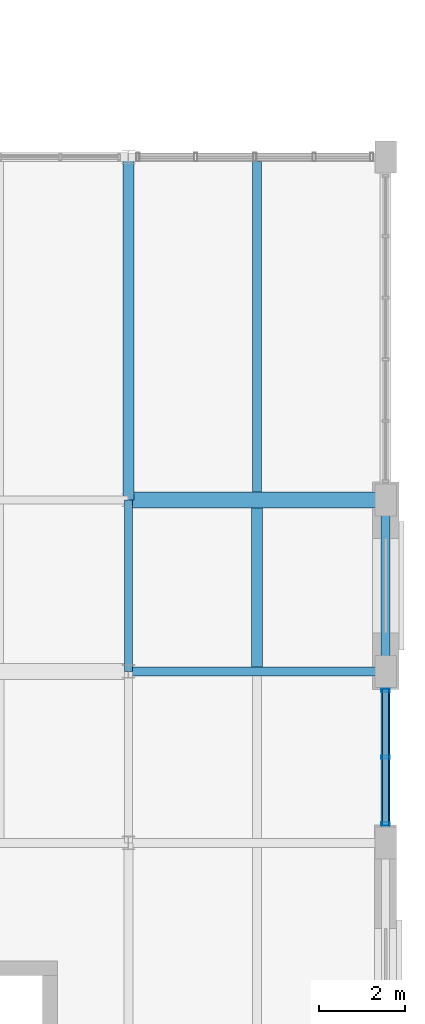
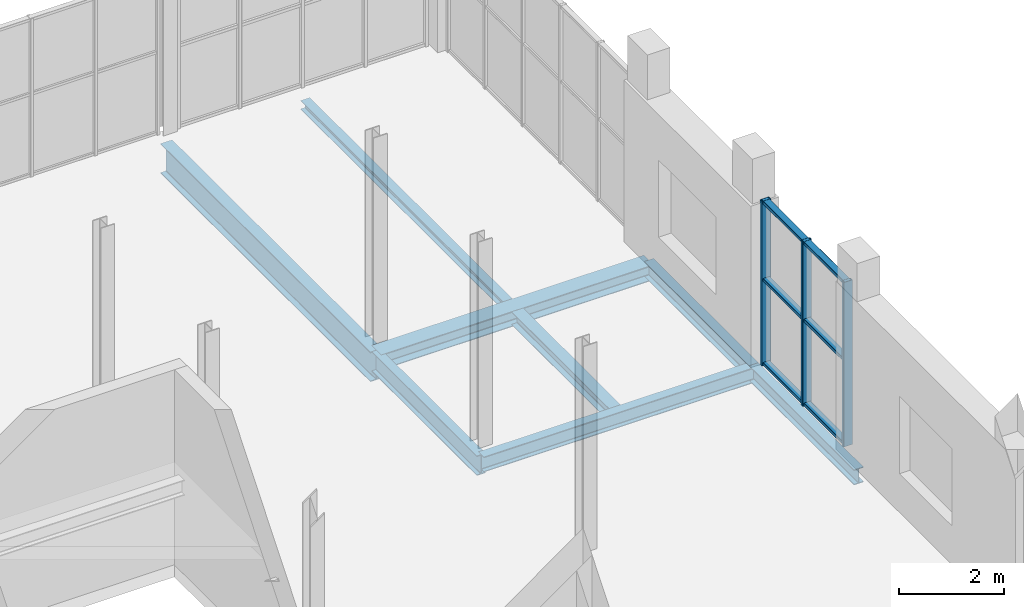
# One storey, part 79 of 114: 8 beams, 6 members, 1 element without a shape of its own.
"""IFC4 building model written with IfcOpenShell, lengths in metres."""

from ifc_helpers import new_model, si_unit, direction, frame, origin, origin_2d, place, context, subcontext, project, spatial, hollow_rectangle, i_section, extrude, material, material_profile, profile_set, type_object, element, aggregate, save


model = new_model("IFC4")

# Units and contexts
model_context = context("Model", 3, precision=1e-05, world=origin(), true_north=direction((0.0, 1.0)))
body_context = subcontext(model_context, "Body", "Model", "MODEL_VIEW")
ifc_project = project(units=[si_unit("LENGTHUNIT", "METRE"), si_unit("AREAUNIT", "SQUARE_METRE"), si_unit("VOLUMEUNIT", "CUBIC_METRE"), si_unit("PLANEANGLEUNIT", "RADIAN"), si_unit("MASSUNIT", "GRAM", prefix="KILO")], contexts=[model_context])

# Site, building, storey
site_placement = place(None, origin())
site = spatial("IfcSite", under=ifc_project, at=site_placement, CompositionType="ELEMENT")
building_placement = place(site_placement, origin())
building = spatial("IfcBuilding", under=site, at=building_placement, Name="Verrall Gate Interchange", CompositionType="ELEMENT")
storey_placement = place(building_placement, frame((0.0, 0.0, 6.60009765625)))
storey = spatial("IfcBuildingStorey", under=building, at=storey_placement, Name="L02", CompositionType="ELEMENT", Elevation=6.60009765625)

# Beams
ifc_material_1 = material(Name="Structural Steel CSA G40.21 350WT Cat 4", Category="steel")
ifc_material_profile_1 = material_profile(ifc_material_1, i_section(OverallWidth=0.256103515625, OverallDepth=0.693115234375, WebThickness=0.01318359375, FlangeThickness=0.02001953125, FilletRadius=0.01611328125, at=origin_2d()), Name="W690x170")
ifc_profile_set_1 = profile_set([ifc_material_profile_1], Name="Structural Steel CSA G40.21 350WT Cat 4")
beam_type_1 = type_object("IfcBeamType", Name="B-07 Structural Beam W690x170", PredefinedType="BEAM", material=ifc_profile_set_1)
beam_1_placement = place(storey_placement, frame((162.0, 48.0, -0.626708984375), z_axis=(0.0, 1.0, 0.0), x_axis=(-1.0, 0.0, 0.0)))
element("IfcBeam", 1, at=beam_1_placement, inside=storey, type_object=beam_type_1, Name="L02 Girder BM-L02-1830 (B-07)", PredefinedType="BEAM", context=body_context, shape_type="SweptSolid", body=[
    extrude(i_section(OverallWidth=0.256103515625, OverallDepth=0.693115234375, WebThickness=0.01318359375, FlangeThickness=0.02001953125, FilletRadius=0.01611328125, at=origin_2d()), origin(), (0.0, 0.0, 1.0), 8.0),
])
ifc_material_2 = material(Name="Structural Steel CSA G40.21 350W", Category="steel")
ifc_material_profile_2 = material_profile(ifc_material_2, i_section(OverallWidth=0.19189453125, OverallDepth=0.462890625, WebThickness=0.010498046875, FlangeThickness=0.017578125, FilletRadius=0.012939453125, at=origin_2d()), Name="W460x89")
ifc_profile_set_2 = profile_set([ifc_material_profile_2], Name="Structural Steel CSA G40.21 350W")
beam_type_2 = type_object("IfcBeamType", Name="B-11 Structural Beam W460x89", PredefinedType="BEAM", material=ifc_profile_set_2)
beam_2_placement = place(storey_placement, frame((162.0, 44.0, -0.51171875), z_axis=(0.0, 1.0, 0.0), x_axis=(-1.0, 0.0, 0.0)))
element("IfcBeam", 2, at=beam_2_placement, inside=storey, type_object=beam_type_2, Name="L02 Girder BM-L02-1829 (B-11)", PredefinedType="BEAM", context=body_context, shape_type="SweptSolid", body=[
    extrude(i_section(OverallWidth=0.19189453125, OverallDepth=0.462890625, WebThickness=0.010498046875, FlangeThickness=0.017578125, FilletRadius=0.012939453125, at=origin_2d()), origin(), (0.0, 0.0, 1.0), 4.0),
])
ifc_material_3 = material(Name="Structural Steel CSA G40.21 350W", Category="steel")
ifc_material_profile_3 = material_profile(ifc_material_3, i_section(OverallWidth=0.368896484375, OverallDepth=0.35595703125, WebThickness=0.01123046875, FlangeThickness=0.01806640625, FilletRadius=0.014892578125, at=origin_2d()), Name="W360x134")
ifc_profile_set_3 = profile_set([ifc_material_profile_3], Name="Structural Steel CSA G40.21 350W")
beam_type_3 = type_object("IfcBeamType", Name="B-13 Structural Beam W360x134", PredefinedType="BEAM", material=ifc_profile_set_3)
beam_3_placement = place(storey_placement, frame((162.0, 48.0, -0.4580078125), z_axis=(1.0, 0.0, 0.0), x_axis=(0.0, 1.0, 0.0)))
element("IfcBeam", 3, at=beam_3_placement, inside=storey, type_object=beam_type_3, Name="L02 Girder BM-L02-1587 (B-13)", PredefinedType="BEAM", context=body_context, shape_type="SweptSolid", body=[
    extrude(i_section(OverallWidth=0.368896484375, OverallDepth=0.35595703125, WebThickness=0.01123046875, FlangeThickness=0.01806640625, FilletRadius=0.014892578125, at=origin_2d()), origin(), (0.0, 0.0, 1.0), 6.0),
])
ifc_material_4 = material(Name="Structural Steel CSA G40.21 350W", Category="steel")
ifc_material_profile_4 = material_profile(ifc_material_4, i_section(OverallWidth=0.205078125, OverallDepth=0.35400390625, WebThickness=0.009521484375, FlangeThickness=0.016845703125, FilletRadius=0.012939453125, at=origin_2d()), Name="W360x79")
ifc_profile_set_4 = profile_set([ifc_material_profile_4], Name="Structural Steel CSA G40.21 350W")
beam_type_4 = type_object("IfcBeamType", Name="B-14 Structural Beam W360x79", PredefinedType="BEAM", material=ifc_profile_set_4)
beam_4_placement = place(storey_placement, frame((162.0, 44.0, -0.45703125), z_axis=(1.0, 0.0, 0.0), x_axis=(0.0, 1.0, 0.0)))
element("IfcBeam", 4, at=beam_4_placement, inside=storey, type_object=beam_type_4, Name="L02 Girder BM-L02-1562 (B-14)", PredefinedType="BEAM", context=body_context, shape_type="SweptSolid", body=[
    extrude(i_section(OverallWidth=0.205078125, OverallDepth=0.35400390625, WebThickness=0.009521484375, FlangeThickness=0.016845703125, FilletRadius=0.012939453125, at=origin_2d()), origin(), (0.0, 0.0, 1.0), 6.0),
])
for number, where, z_axis, x_axis, name in (
    (5, (168.0, 40.0, -0.45703125), (0.0, 1.0, 0.0), (-1.0, 0.0, 0.0), "L02 Girder BM-L02-1836 (B-14)"),
    (6, (168.0, 44.0, -0.45703125), (0.0, 1.0, 0.0), (-1.0, 0.0, 0.0), "L02 Girder BM-L02-1837 (B-14)"),
):
    element("IfcBeam", number, at=place(storey_placement, frame(where, z_axis=z_axis, x_axis=x_axis)), inside=storey, type_object=beam_type_4, Name=name, PredefinedType="BEAM", context=body_context, shape_type="SweptSolid", body=[
        extrude(i_section(OverallWidth=0.205078125, OverallDepth=0.35400390625, WebThickness=0.009521484375, FlangeThickness=0.016845703125, FilletRadius=0.012939453125, at=origin_2d()), origin(), (0.0, 0.0, 1.0), 4.0),
    ])

# Curtain wall, members
ifc_material_5 = material(Name="Thermally Broken Anodized Aluminium Curtain Wall Framing", Category="aluminium")
curtain_wall_type = type_object("IfcCurtainWallType", Name="CW-25 Unitized Curtain Wall 3186x3830", PredefinedType="NOTDEFINED", material=ifc_material_5)
curtain_wall_placement = place(storey_placement, origin())
curtain_wall = element("IfcCurtainWall", 7, at=curtain_wall_placement, inside=storey, type_object=curtain_wall_type, Name="L02 Unitized Curtain Wall CW-L02-093", PredefinedType="NOTDEFINED")
ifc_material_6 = material(Name="Thermally Broken Anodized Aluminium Curtain Wall Framing", Category="aluminium")
ifc_material_profile_5 = material_profile(ifc_material_6, hollow_rectangle(XDim=0.074951171875, YDim=0.199951171875, WallThickness=0.0048828125, InnerFilletRadius=0.0048828125, OuterFilletRadius=0.010009765625, at=origin_2d()), Name="CWM200x75x5")
ifc_profile_set_5 = profile_set([ifc_material_profile_5], Name="Thermally Broken Anodized Aluminium Curtain Wall Framing")
member_type_1 = type_object("IfcMemberType", Name="CM-02 Curtain Mullion CWM200x75x5", PredefinedType="MULLION", material=ifc_profile_set_5)
member_1_placement = place(storey_placement, frame((168.0, 40.444580078125, 0.0), z_axis=(0.0, 0.0, 1.0), x_axis=(0.0, 1.0, 0.0)))
member_1 = element("IfcMember", 8, at=member_1_placement, type_object=member_type_1, Name="CW-L02-093 Mullion 1", PredefinedType="MULLION", context=body_context, shape_type="SweptSolid", body=[
    extrude(hollow_rectangle(XDim=0.074951171875, YDim=0.199951171875, WallThickness=0.0048828125, InnerFilletRadius=0.0048828125, OuterFilletRadius=0.010009765625, at=origin_2d()), origin(), (0.0, 0.0, 1.0), 3.829833984375),
])
member_2_placement = place(storey_placement, frame((168.0, 42.0, 0.0), z_axis=(0.0, 0.0, 1.0), x_axis=(0.0, 1.0, 0.0)))
member_2 = element("IfcMember", 9, at=member_2_placement, type_object=member_type_1, Name="CW-L02-093 Mullion 2", PredefinedType="MULLION", context=body_context, shape_type="SweptSolid", body=[
    extrude(hollow_rectangle(XDim=0.074951171875, YDim=0.199951171875, WallThickness=0.0048828125, InnerFilletRadius=0.0048828125, OuterFilletRadius=0.010009765625, at=origin_2d()), origin(), (0.0, 0.0, 1.0), 3.829833984375),
])
member_3_placement = place(storey_placement, frame((168.0, 43.555419921875, 0.0), z_axis=(0.0, 0.0, 1.0), x_axis=(0.0, 1.0, 0.0)))
member_3 = element("IfcMember", 10, at=member_3_placement, type_object=member_type_1, Name="CW-L02-093 Mullion 3", PredefinedType="MULLION", context=body_context, shape_type="SweptSolid", body=[
    extrude(hollow_rectangle(XDim=0.074951171875, YDim=0.199951171875, WallThickness=0.0048828125, InnerFilletRadius=0.0048828125, OuterFilletRadius=0.010009765625, at=origin_2d()), origin(), (0.0, 0.0, 1.0), 3.829833984375),
])
ifc_material_7 = material(Name="Thermally Broken Anodized Aluminium Curtain Wall Framing", Category="aluminium")
ifc_material_profile_6 = material_profile(ifc_material_7, hollow_rectangle(XDim=0.14990234375, YDim=0.074951171875, WallThickness=0.00439453125, InnerFilletRadius=0.00439453125, OuterFilletRadius=0.009033203125, at=origin_2d()), Name="CWT150x75x4.5")
ifc_profile_set_6 = profile_set([ifc_material_profile_6], Name="Thermally Broken Anodized Aluminium Curtain Wall Framing")
member_type_2 = type_object("IfcMemberType", Name="CT-02 Curtain Transom CWT150x75x4.5", PredefinedType="USERDEFINED", material=ifc_profile_set_6)
member_4_placement = place(storey_placement, frame((168.0, 40.406982421875, 0.037353515625), z_axis=(0.0, 1.0, 0.0), x_axis=(-1.0, 0.0, 0.0)))
member_4 = element("IfcMember", 11, at=member_4_placement, type_object=member_type_2, Name="CW-L02-093 Transom 1", ObjectType="TRANSOM", PredefinedType="USERDEFINED", context=body_context, shape_type="SweptSolid", body=[
    extrude(hollow_rectangle(XDim=0.14990234375, YDim=0.074951171875, WallThickness=0.00439453125, InnerFilletRadius=0.00439453125, OuterFilletRadius=0.009033203125, at=origin_2d()), origin(), (0.0, 0.0, 1.0), 3.18603515625),
])
member_5_placement = place(storey_placement, frame((168.0, 40.406982421875, 1.991455078125), z_axis=(0.0, 1.0, 0.0), x_axis=(-1.0, 0.0, 0.0)))
member_5 = element("IfcMember", 12, at=member_5_placement, type_object=member_type_2, Name="CW-L02-093 Transom 2", ObjectType="TRANSOM", PredefinedType="USERDEFINED", context=body_context, shape_type="SweptSolid", body=[
    extrude(hollow_rectangle(XDim=0.14990234375, YDim=0.074951171875, WallThickness=0.00439453125, InnerFilletRadius=0.00439453125, OuterFilletRadius=0.009033203125, at=origin_2d()), origin(), (0.0, 0.0, 1.0), 3.18603515625),
])
member_6_placement = place(storey_placement, frame((168.0, 40.406982421875, 3.79248046875), z_axis=(0.0, 1.0, 0.0), x_axis=(-1.0, 0.0, 0.0)))
member_6 = element("IfcMember", 13, at=member_6_placement, type_object=member_type_2, Name="CW-L02-093 Transom 3", ObjectType="TRANSOM", PredefinedType="USERDEFINED", context=body_context, shape_type="SweptSolid", body=[
    extrude(hollow_rectangle(XDim=0.14990234375, YDim=0.074951171875, WallThickness=0.00439453125, InnerFilletRadius=0.00439453125, OuterFilletRadius=0.009033203125, at=origin_2d()), origin(), (0.0, 0.0, 1.0), 3.18603515625),
])
aggregate(curtain_wall, [member_1, member_2, member_3, member_4, member_5, member_6])

# Beams
ifc_material_8 = material(Name="Structural Steel CSA G40.21 350W", Category="steel")
ifc_material_profile_7 = material_profile(ifc_material_8, i_section(OverallWidth=0.25390625, OverallDepth=0.305908203125, WebThickness=0.0087890625, FlangeThickness=0.0146484375, FilletRadius=0.012939453125, at=origin_2d()), Name="W310x79")
ifc_profile_set_7 = profile_set([ifc_material_profile_7], Name="Structural Steel CSA G40.21 350W")
beam_type_5 = type_object("IfcBeamType", Name="J-03 Floor Joist W310x79", PredefinedType="JOIST", material=ifc_profile_set_7)
beam_5_placement = place(storey_placement, frame((165.0, 44.1025390625, -0.43310546875), z_axis=(0.0, 1.0, 0.0), x_axis=(-1.0, 0.0, 0.0)))
element("IfcBeam", 14, at=beam_5_placement, inside=storey, type_object=beam_type_5, Name="L02 Secondary Floor Joist JST-L02-1939", PredefinedType="JOIST", context=body_context, shape_type="SweptSolid", body=[
    extrude(i_section(OverallWidth=0.25390625, OverallDepth=0.305908203125, WebThickness=0.0087890625, FlangeThickness=0.0146484375, FilletRadius=0.012939453125, at=origin_2d()), origin(), (0.0, 0.0, 1.0), 3.712890625),
])
ifc_material_9 = material(Name="Structural Steel CSA G40.21 350W", Category="steel")
ifc_material_profile_8 = material_profile(ifc_material_9, i_section(OverallWidth=0.202880859375, OverallDepth=0.202880859375, WebThickness=0.007080078125, FlangeThickness=0.010986328125, FilletRadius=0.010009765625, at=origin_2d()), Name="W200x46")
ifc_profile_set_8 = profile_set([ifc_material_profile_8], Name="Structural Steel CSA G40.21 350W")
beam_type_6 = type_object("IfcBeamType", Name="J-07 Floor Joist W200x46", PredefinedType="JOIST", material=ifc_profile_set_8)
beam_6_placement = place(storey_placement, frame((165.0, 48.1845703125, -0.381591796875), z_axis=(0.0, 1.0, 0.0), x_axis=(-1.0, 0.0, 0.0)))
element("IfcBeam", 15, at=beam_6_placement, inside=storey, type_object=beam_type_6, Name="L02 Secondary Floor Joist JST-L02-1960", PredefinedType="JOIST", context=body_context, shape_type="SweptSolid", body=[
    extrude(i_section(OverallWidth=0.202880859375, OverallDepth=0.202880859375, WebThickness=0.007080078125, FlangeThickness=0.010986328125, FilletRadius=0.010009765625, at=origin_2d()), origin(), (0.0, 0.0, 1.0), 7.719482421875),
])

save(model, "model.ifc")
